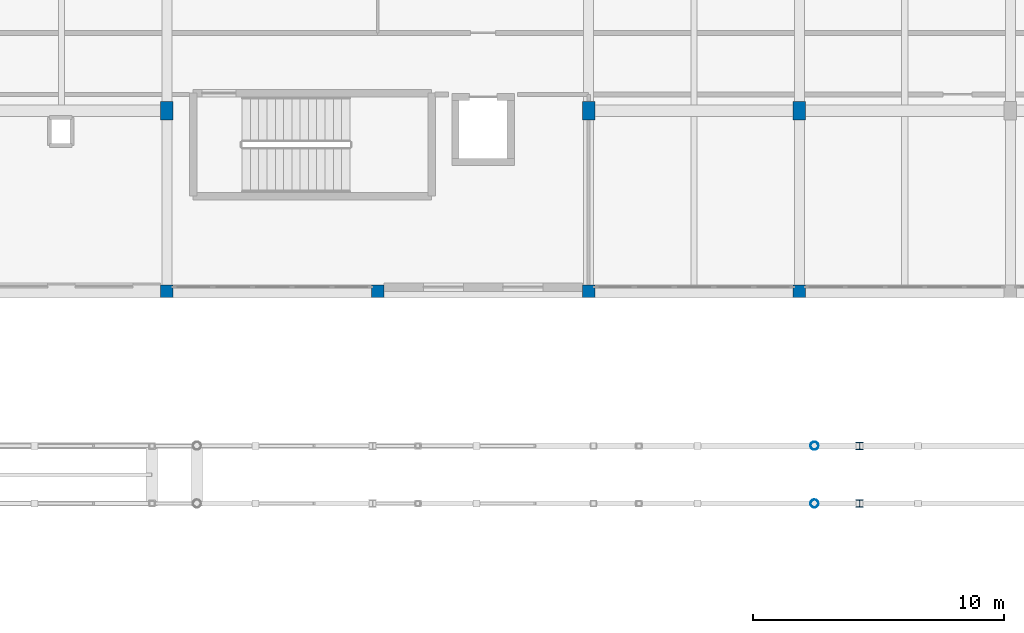
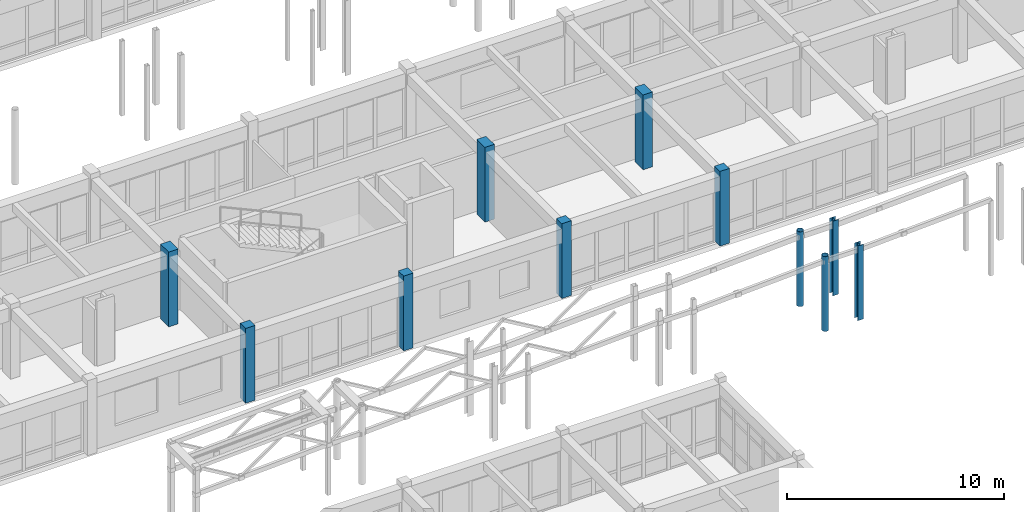
# One storey, part 4 of 147: 11 columns.
"""IFC4 building model written with IfcOpenShell, lengths in metres."""

from ifc_helpers import new_model, si_unit, direction, frame, origin, origin_2d, place, context, subcontext, project, spatial, rectangle, hollow_circle, i_section, extrude, material, material_profile, profile_set, type_object, element, save


model = new_model("IFC4")

# Units and contexts
model_context = context("Model", 3, precision=1e-05, world=origin(), true_north=direction((0.0, 1.0)))
body_context = subcontext(model_context, "Body", "Model", "MODEL_VIEW")
ifc_project = project(units=[si_unit("LENGTHUNIT", "METRE"), si_unit("AREAUNIT", "SQUARE_METRE"), si_unit("VOLUMEUNIT", "CUBIC_METRE"), si_unit("PLANEANGLEUNIT", "RADIAN"), si_unit("MASSUNIT", "GRAM", prefix="KILO")], contexts=[model_context])

# Site, building, storey
site_placement = place(None, origin())
site = spatial("IfcSite", under=ifc_project, at=site_placement, CompositionType="ELEMENT")
building_placement = place(site_placement, origin())
building = spatial("IfcBuilding", under=site, at=building_placement, Name="Malvenik Polytechnic", CompositionType="ELEMENT")
storey_placement = place(building_placement, frame((0.0, 0.0, 5.10009765625)))
storey = spatial("IfcBuildingStorey", under=building, at=storey_placement, Name="L01", CompositionType="ELEMENT", Elevation=5.10009765625)

# Columns
ifc_material_1 = material(Name="Concrete C35/45", Category="concrete")
ifc_material_profile_1 = material_profile(ifc_material_1, rectangle(XDim=0.5, YDim=0.5, at=origin_2d()), Name="RC COL 500x500")
ifc_profile_set_1 = profile_set([ifc_material_profile_1], Name="Concrete C35/45")
column_type_1 = type_object("IfcColumnType", Name="STR-COL-C-08", PredefinedType="COLUMN", material=ifc_profile_set_1)
for number, where, z_axis, x_axis, name in (
    (1, (33.60009765625, 50.39990234375, 0.0), (0.0, 0.0, 1.0), (1.0, 0.0, 0.0), "Column C-08 L01 (33.6,50.4)"),
    (2, (42.0, 50.39990234375, 0.0), (0.0, 0.0, 1.0), (1.0, 0.0, 0.0), "Column C-08 L01 (42.0,50.4)"),
    (3, (50.39990234375, 50.39990234375, 0.0), (0.0, 0.0, 1.0), (1.0, 0.0, 0.0), "Column C-08 L01 (50.4,50.4)"),
    (4, (58.800048828125, 50.39990234375, 0.0), (0.0, 0.0, 1.0), (1.0, 0.0, 0.0), "Column C-08 L01 (58.8,50.4)"),
):
    element("IfcColumn", number, at=place(storey_placement, frame(where, z_axis=z_axis, x_axis=x_axis)), inside=storey, type_object=column_type_1, Name=name, PredefinedType="COLUMN", context=body_context, shape_type="SweptSolid", body=[
        extrude(rectangle(XDim=0.5, YDim=0.5, at=origin_2d()), origin(), (0.0, 0.0, 1.0), 4.199951171875),
    ])
ifc_material_profile_2 = material_profile(ifc_material_1, rectangle(XDim=0.5, YDim=0.75, at=origin_2d()), Name="RC COL 750x500")
ifc_profile_set_2 = profile_set([ifc_material_profile_2], Name="Concrete C35/45")
column_type_2 = type_object("IfcColumnType", Name="STR-COL-C-14", PredefinedType="COLUMN", material=ifc_profile_set_2)
for number, where, z_axis, x_axis, name in (
    (5, (33.60009765625, 57.60009765625, 0.0), (0.0, 0.0, 1.0), (1.0, 0.0, 0.0), "Column C-14 L01 (33.6,57.6)"),
    (6, (50.39990234375, 57.60009765625, 0.0), (0.0, 0.0, 1.0), (1.0, 0.0, 0.0), "Column C-14 L01 (50.4,57.6)"),
    (7, (58.800048828125, 57.60009765625, 0.0), (0.0, 0.0, 1.0), (1.0, 0.0, 0.0), "Column C-14 L01 (58.8,57.6)"),
):
    element("IfcColumn", number, at=place(storey_placement, frame(where, z_axis=z_axis, x_axis=x_axis)), inside=storey, type_object=column_type_2, Name=name, PredefinedType="COLUMN", context=body_context, shape_type="SweptSolid", body=[
        extrude(rectangle(XDim=0.5, YDim=0.75, at=origin_2d()), origin(), (0.0, 0.0, 1.0), 4.199951171875),
    ])
ifc_material_2 = material(Name="Steel S355J2H", Category="steel")
ifc_material_profile_3 = material_profile(ifc_material_2, hollow_circle(Radius=0.161865234375, WallThickness=0.012451171875, at=origin_2d()), Name="CHS 323.9x12.5")
ifc_profile_set_3 = profile_set([ifc_material_profile_3], Name="Steel S355J2H")
column_type_3 = type_object("IfcColumnType", Name="STR-SCOL-SC-04", PredefinedType="COLUMN", material=ifc_profile_set_3)
for number, where, z_axis, x_axis, name in (
    (8, (59.39990234375, 41.949951171875, 0.0), (0.0, 0.0, 1.0), (1.0, 0.0, 0.0), "Bridge-Ramp Support Column SC-04 L01"),
    (9, (59.39990234375, 44.25, 0.0), (0.0, 0.0, 1.0), (1.0, 0.0, 0.0), "Bridge-Ramp Support Column SC-04 L01"),
):
    element("IfcColumn", number, at=place(storey_placement, frame(where, z_axis=z_axis, x_axis=x_axis)), inside=storey, type_object=column_type_3, Name=name, PredefinedType="COLUMN", context=body_context, shape_type="SweptSolid", body=[
        extrude(hollow_circle(Radius=0.161865234375, WallThickness=0.012451171875, at=origin_2d()), origin(), (0.0, 0.0, 1.0), 4.199951171875),
    ])
ifc_material_3 = material(Name="Steel S355", Category="steel")
ifc_material_profile_4 = material_profile(ifc_material_3, i_section(OverallWidth=0.300048828125, OverallDepth=0.300048828125, WebThickness=0.010986328125, FlangeThickness=0.01904296875, FilletRadius=0.027099609375, at=origin_2d()), Name="HEB 300")
ifc_profile_set_4 = profile_set([ifc_material_profile_4], Name="Steel S355")
column_type_4 = type_object("IfcColumnType", Name="STR-SCOL-SC-05", PredefinedType="COLUMN", material=ifc_profile_set_4)
for number, where, z_axis, x_axis, name in (
    (10, (61.199951171875, 41.949951171875, 0.0), (0.0, 0.0, 1.0), (1.0, 0.0, 0.0), "Bridge-Ramp Support Column SC-05 L01"),
    (11, (61.199951171875, 44.25, 0.0), (0.0, 0.0, 1.0), (1.0, 0.0, 0.0), "Bridge-Ramp Support Column SC-05 L01"),
):
    element("IfcColumn", number, at=place(storey_placement, frame(where, z_axis=z_axis, x_axis=x_axis)), inside=storey, type_object=column_type_4, Name=name, PredefinedType="COLUMN", context=body_context, shape_type="SweptSolid", body=[
        extrude(i_section(OverallWidth=0.300048828125, OverallDepth=0.300048828125, WebThickness=0.010986328125, FlangeThickness=0.01904296875, FilletRadius=0.027099609375, at=origin_2d()), origin(), (0.0, 0.0, 1.0), 4.199951171875),
    ])

save(model, "model.ifc")
